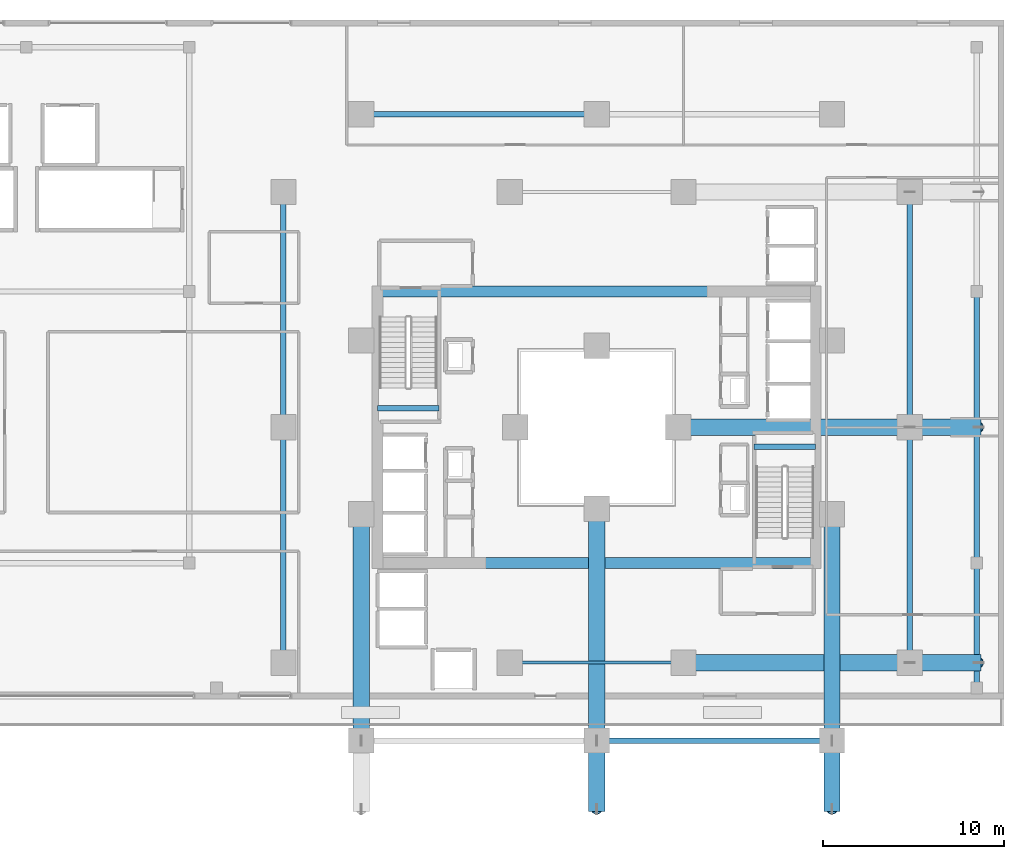
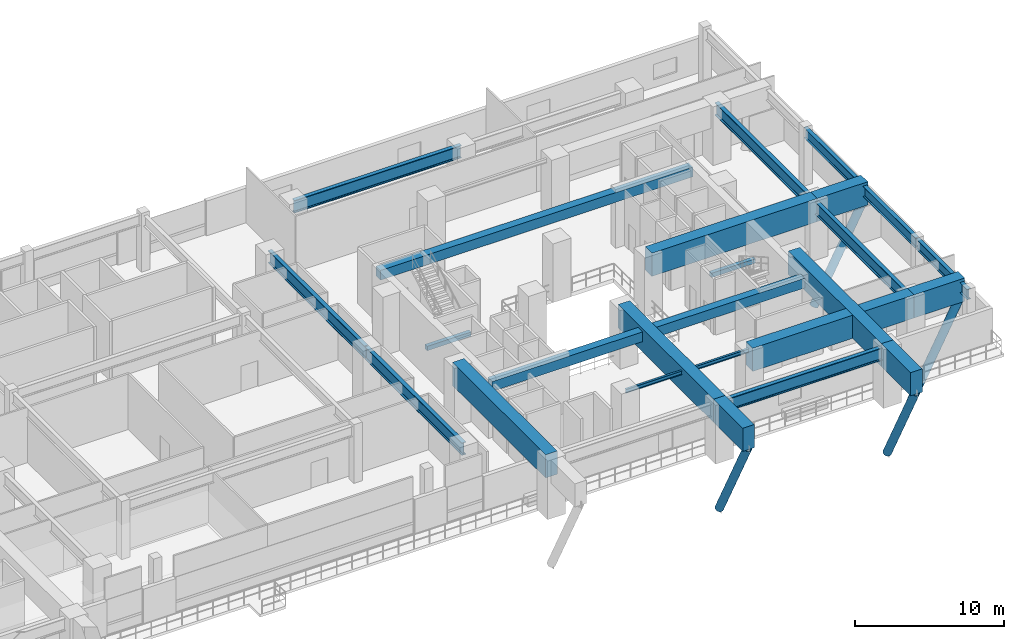
# One storey, part 9 of 25: 22 beams, 4 members.
"""IFC4 building model written with IfcOpenShell, lengths in metres."""

from ifc_helpers import new_model, si_unit, direction, frame, origin, origin_2d, place, context, subcontext, project, spatial, rectangle, hollow_circle, i_section, extrude, material, material_profile, profile_set, type_object, element, save


model = new_model("IFC4")

# Units and contexts
model_context = context("Model", 3, precision=1e-05, world=origin(), true_north=direction((0.0, 1.0)))
body_context = subcontext(model_context, "Body", "Model", "MODEL_VIEW")
ifc_project = project(units=[si_unit("LENGTHUNIT", "METRE"), si_unit("AREAUNIT", "SQUARE_METRE"), si_unit("VOLUMEUNIT", "CUBIC_METRE"), si_unit("PLANEANGLEUNIT", "RADIAN"), si_unit("MASSUNIT", "GRAM", prefix="KILO")], contexts=[model_context])

# Site, building, storey
site_placement = place(None, origin())
site = spatial("IfcSite", under=ifc_project, at=site_placement, CompositionType="ELEMENT")
building_placement = place(site_placement, origin())
building = spatial("IfcBuilding", under=site, at=building_placement, Name="Thornwick Lancets Civic Towers", CompositionType="ELEMENT")
storey_placement = place(building_placement, frame((0.0, 0.0, 23.10009765625)))
storey = spatial("IfcBuildingStorey", under=building, at=storey_placement, Name="L05", CompositionType="ELEMENT", Elevation=23.10009765625)

# Beams
ifc_material_1 = material(Name="Concrete C60/75", Category="concrete")
ifc_material_profile_1 = material_profile(ifc_material_1, rectangle(XDim=0.60009765625, YDim=0.800048828125, at=origin_2d()), Name="RC 600x800")
ifc_profile_set_1 = profile_set([ifc_material_profile_1], Name="Concrete C60/75")
beam_type_1 = type_object("IfcBeamType", Name="BM_COUP_RC800", PredefinedType="BEAM", material=ifc_profile_set_1)
for number, where, z_axis, x_axis, name in (
    (1, (76.39990234375, 34.5, 4.159912109375), (1.0, 0.0, 0.0), (0.0, 1.0, 0.0), "CB-L05-B1"),
    (2, (76.39990234375, 19.5, 4.159912109375), (1.0, 0.0, 0.0), (0.0, 1.0, 0.0), "CB-L05-B2"),
):
    element("IfcBeam", number, at=place(storey_placement, frame(where, z_axis=z_axis, x_axis=x_axis)), inside=storey, type_object=beam_type_1, Name=name, PredefinedType="BEAM", context=body_context, shape_type="SweptSolid", body=[
        extrude(rectangle(XDim=0.60009765625, YDim=0.800048828125, at=origin_2d()), origin(), (0.0, 0.0, 1.0), 24.2001953125),
    ])
ifc_material_2 = material(Name="Steel S355JR", Category="steel")
ifc_material_profile_2 = material_profile(ifc_material_2, i_section(OverallWidth=0.1669921875, OverallDepth=0.310302734375, WebThickness=0.0078125, FlangeThickness=0.013671875, FilletRadius=0.0087890625, at=origin_2d()), Name="UKB 305x165x54")
ifc_profile_set_2 = profile_set([ifc_material_profile_2], Name="Steel S355JR")
beam_type_2 = type_object("IfcBeamType", Name="BM_LINTEL_305_54", PredefinedType="LINTEL", material=ifc_profile_set_2)
beam_1_placement = place(storey_placement, frame((93.219970703125, 14.0, 4.40478515625), z_axis=(-1.0, 0.0, 0.0), x_axis=(0.0, -1.0, 0.0)))
element("IfcBeam", 3, at=beam_1_placement, inside=storey, type_object=beam_type_2, Name="BM-INSP-L05-B-0-2", PredefinedType="LINTEL", context=body_context, shape_type="SweptSolid", body=[
    extrude(i_section(OverallWidth=0.1669921875, OverallDepth=0.310302734375, WebThickness=0.0078125, FlangeThickness=0.013671875, FilletRadius=0.0087890625, at=origin_2d()), origin(), (0.0, 0.0, 1.0), 9.52001953125),
])
ifc_material_profile_3 = material_profile(ifc_material_2, i_section(OverallWidth=0.293701171875, OverallDepth=0.850830078125, WebThickness=0.01611328125, FlangeThickness=0.02685546875, FilletRadius=0.017822265625, at=origin_2d()), Name="UKB 838x292x226")
ifc_profile_set_3 = profile_set([ifc_material_profile_3], Name="Steel S355JR")
beam_type_3 = type_object("IfcBeamType", Name="BM_POD_838_226", PredefinedType="BEAM", material=ifc_profile_set_3)
beam_2_placement = place(storey_placement, frame((109.5, 12.60009765625, 4.134521484375), z_axis=(0.0, 1.0, 0.0), x_axis=(-1.0, 0.0, 0.0)))
element("IfcBeam", 4, at=beam_2_placement, inside=storey, type_object=beam_type_3, Name="BM-PODG-L05-3-14", PredefinedType="BEAM", context=body_context, shape_type="SweptSolid", body=[
    extrude(i_section(OverallWidth=0.293701171875, OverallDepth=0.850830078125, WebThickness=0.01611328125, FlangeThickness=0.02685546875, FilletRadius=0.017822265625, at=origin_2d()), origin(), (0.0, 0.0, 1.0), 6.89990234375),
])
beam_3_placement = place(storey_placement, frame((109.5, 19.580078125, 4.134521484375), z_axis=(0.0, 1.0, 0.0), x_axis=(-1.0, 0.0, 0.0)))
element("IfcBeam", 5, at=beam_3_placement, inside=storey, type_object=beam_type_3, Name="BM-PODG-L05-14-15", PredefinedType="BEAM", context=body_context, shape_type="SweptSolid", body=[
    extrude(i_section(OverallWidth=0.293701171875, OverallDepth=0.850830078125, WebThickness=0.01611328125, FlangeThickness=0.02685546875, FilletRadius=0.017822265625, at=origin_2d()), origin(), (0.0, 0.0, 1.0), 14.919921875),
])
ifc_material_3 = material(Name="Concrete C40/50", Category="concrete")
ifc_material_profile_4 = material_profile(ifc_material_3, rectangle(XDim=0.300048828125, YDim=0.35009765625, at=origin_2d()), Name="RC 300x350")
ifc_profile_set_4 = profile_set([ifc_material_profile_4], Name="Concrete C40/50")
beam_type_4 = type_object("IfcBeamType", Name="BM_STAIR_LDG", PredefinedType="BEAM", material=ifc_profile_set_4)
for number, where, z_axis, x_axis, name in (
    (6, (100.60009765625, 25.93505859375, 1.977783203125), (-1.0, 0.0, 0.0), (0.0, -1.0, 0.0), "L05 ST-B1 Landing Support Beam 1"),
    (7, (76.39990234375, 28.06494140625, 1.977783203125), (1.0, 0.0, 0.0), (0.0, 1.0, 0.0), "L05 ST-B2 Landing Support Beam 1"),
):
    element("IfcBeam", number, at=place(storey_placement, frame(where, z_axis=z_axis, x_axis=x_axis)), inside=storey, type_object=beam_type_4, Name=name, PredefinedType="BEAM", context=body_context, shape_type="SweptSolid", body=[
        extrude(rectangle(XDim=0.300048828125, YDim=0.35009765625, at=origin_2d()), origin(), (0.0, 0.0, 1.0), 3.400146484375),
    ])
ifc_material_4 = material(Name="Steel S460M", Category="steel")
ifc_material_profile_5 = material_profile(ifc_material_4, i_section(OverallWidth=0.305419921875, OverallDepth=1.02587890625, WebThickness=0.02685546875, FlangeThickness=0.0458984375, FilletRadius=0.030029296875, at=origin_2d()), Name="UKB 1016x305x437")
ifc_profile_set_5 = profile_set([ifc_material_profile_5], Name="Steel S460M")
beam_type_5 = type_object("IfcBeamType", Name="BM_TR_1016_437", PredefinedType="BEAM", material=ifc_profile_set_5)
beam_4_placement = place(storey_placement, frame((105.800048828125, 14.0, 4.046875), z_axis=(0.0, 1.0, 0.0), x_axis=(-1.0, 0.0, 0.0)))
element("IfcBeam", 8, at=beam_4_placement, inside=storey, type_object=beam_type_5, Name="BM-SPINE-L05-B-0-1", PredefinedType="BEAM", context=body_context, shape_type="SweptSolid", body=[
    extrude(i_section(OverallWidth=0.305419921875, OverallDepth=1.02587890625, WebThickness=0.02685546875, FlangeThickness=0.0458984375, FilletRadius=0.030029296875, at=origin_2d()), origin(), (0.0, 0.0, 1.0), 13.0),
])
for number, where, z_axis, x_axis, name in (
    (9, (105.800048828125, 27.080078125, 4.046875), (0.0, 1.0, 0.0), (-1.0, 0.0, 0.0), "BM-SPINE-L05-B-1-2"),
    (10, (88.419921875, 44.300048828125, 4.046875), (-1.0, 0.0, 0.0), (0.0, -1.0, 0.0), "BM-SPINE-L05-B-4-5"),
):
    element("IfcBeam", number, at=place(storey_placement, frame(where, z_axis=z_axis, x_axis=x_axis)), inside=storey, type_object=beam_type_5, Name=name, PredefinedType="BEAM", context=body_context, shape_type="SweptSolid", body=[
        extrude(i_section(OverallWidth=0.305419921875, OverallDepth=1.02587890625, WebThickness=0.02685546875, FlangeThickness=0.0458984375, FilletRadius=0.030029296875, at=origin_2d()), origin(), (0.0, 0.0, 1.0), 12.919921875),
    ])
beam_5_placement = place(storey_placement, frame((71.199951171875, 14.0, 4.046875), z_axis=(0.0, 1.0, 0.0), x_axis=(-1.0, 0.0, 0.0)))
element("IfcBeam", 11, at=beam_5_placement, inside=storey, type_object=beam_type_5, Name="BM-SPINE-L05-B-6-7", PredefinedType="BEAM", context=body_context, shape_type="SweptSolid", body=[
    extrude(i_section(OverallWidth=0.305419921875, OverallDepth=1.02587890625, WebThickness=0.02685546875, FlangeThickness=0.0458984375, FilletRadius=0.030029296875, at=origin_2d()), origin(), (0.0, 0.0, 1.0), 13.0),
])
beam_6_placement = place(storey_placement, frame((71.199951171875, 27.080078125, 4.046875), z_axis=(0.0, 1.0, 0.0), x_axis=(-1.0, 0.0, 0.0)))
element("IfcBeam", 12, at=beam_6_placement, inside=storey, type_object=beam_type_5, Name="BM-SPINE-L05-B-7-8", PredefinedType="BEAM", context=body_context, shape_type="SweptSolid", body=[
    extrude(i_section(OverallWidth=0.305419921875, OverallDepth=1.02587890625, WebThickness=0.02685546875, FlangeThickness=0.0458984375, FilletRadius=0.030029296875, at=origin_2d()), origin(), (0.0, 0.0, 1.0), 12.919921875),
])
beam_7_placement = place(storey_placement, frame((101.5, 9.699951171875, 4.046875), z_axis=(-1.0, 0.0, 0.0), x_axis=(0.0, -1.0, 0.0)))
element("IfcBeam", 13, at=beam_7_placement, inside=storey, type_object=beam_type_5, Name="BM-SPINE-L05-B-9-10", PredefinedType="BEAM", context=body_context, shape_type="SweptSolid", body=[
    extrude(i_section(OverallWidth=0.305419921875, OverallDepth=1.02587890625, WebThickness=0.02685546875, FlangeThickness=0.0458984375, FilletRadius=0.030029296875, at=origin_2d()), origin(), (0.0, 0.0, 1.0), 13.0),
])
ifc_material_profile_6 = material_profile(ifc_material_1, rectangle(XDim=0.89990234375, YDim=1.89990234375, at=origin_2d()), Name="RC 900x1900")
ifc_profile_set_6 = profile_set([ifc_material_profile_6], Name="Concrete C60/75")
beam_type_6 = type_object("IfcBeamType", Name="BM_TR_RC1900", PredefinedType="BEAM", material=ifc_profile_set_6)
beam_8_placement = place(storey_placement, frame((93.300048828125, 14.0, 3.849853515625), z_axis=(1.0, 0.0, 0.0), x_axis=(0.0, 1.0, 0.0)))
element("IfcBeam", 14, at=beam_8_placement, inside=storey, type_object=beam_type_6, Name="TG-BACK-L06-B01", PredefinedType="BEAM", context=body_context, shape_type="SweptSolid", body=[
    extrude(rectangle(XDim=0.89990234375, YDim=1.89990234375, at=origin_2d()), origin(), (0.0, 0.0, 1.0), 12.5),
])
beam_9_placement = place(storey_placement, frame((105.800048828125, 14.0, 3.849853515625), z_axis=(1.0, 0.0, 0.0), x_axis=(0.0, 1.0, 0.0)))
element("IfcBeam", 15, at=beam_9_placement, inside=storey, type_object=beam_type_6, Name="TG-CANT-L06-B01", PredefinedType="BEAM", context=body_context, shape_type="SweptSolid", body=[
    extrude(rectangle(XDim=0.89990234375, YDim=1.89990234375, at=origin_2d()), origin(), (0.0, 0.0, 1.0), 3.919921875),
])
beam_10_placement = place(storey_placement, frame((93.0, 27.0, 3.849853515625), z_axis=(1.0, 0.0, 0.0), x_axis=(0.0, 1.0, 0.0)))
element("IfcBeam", 16, at=beam_10_placement, inside=storey, type_object=beam_type_6, Name="TG-BACK-L06-B02", PredefinedType="BEAM", context=body_context, shape_type="SweptSolid", body=[
    extrude(rectangle(XDim=0.89990234375, YDim=1.89990234375, at=origin_2d()), origin(), (0.0, 0.0, 1.0), 12.800048828125),
])
beam_11_placement = place(storey_placement, frame((105.800048828125, 27.0, 3.849853515625), z_axis=(1.0, 0.0, 0.0), x_axis=(0.0, 1.0, 0.0)))
element("IfcBeam", 17, at=beam_11_placement, inside=storey, type_object=beam_type_6, Name="TG-CANT-L06-B02", PredefinedType="BEAM", context=body_context, shape_type="SweptSolid", body=[
    extrude(rectangle(XDim=0.89990234375, YDim=1.89990234375, at=origin_2d()), origin(), (0.0, 0.0, 1.0), 3.919921875),
])
beam_12_placement = place(storey_placement, frame((101.5, 22.199951171875, 3.849853515625), z_axis=(0.0, -1.0, 0.0), x_axis=(1.0, 0.0, 0.0)))
element("IfcBeam", 18, at=beam_12_placement, inside=storey, type_object=beam_type_6, Name="TG-BACK-L06-B10", PredefinedType="BEAM", context=body_context, shape_type="SweptSolid", body=[
    extrude(rectangle(XDim=0.89990234375, YDim=1.89990234375, at=origin_2d()), origin(), (0.0, 0.0, 1.0), 12.5),
])
beam_13_placement = place(storey_placement, frame((101.5, 9.699951171875, 3.849853515625), z_axis=(0.0, -1.0, 0.0), x_axis=(1.0, 0.0, 0.0)))
element("IfcBeam", 19, at=beam_13_placement, inside=storey, type_object=beam_type_6, Name="TG-CANT-L06-B10", PredefinedType="BEAM", context=body_context, shape_type="SweptSolid", body=[
    extrude(rectangle(XDim=0.89990234375, YDim=1.89990234375, at=origin_2d()), origin(), (0.0, 0.0, 1.0), 3.919921875),
])
beam_14_placement = place(storey_placement, frame((88.5, 22.5, 3.849853515625), z_axis=(0.0, -1.0, 0.0), x_axis=(1.0, 0.0, 0.0)))
element("IfcBeam", 20, at=beam_14_placement, inside=storey, type_object=beam_type_6, Name="TG-BACK-L06-B11", PredefinedType="BEAM", context=body_context, shape_type="SweptSolid", body=[
    extrude(rectangle(XDim=0.89990234375, YDim=1.89990234375, at=origin_2d()), origin(), (0.0, 0.0, 1.0), 12.800048828125),
])
beam_15_placement = place(storey_placement, frame((88.5, 9.699951171875, 3.849853515625), z_axis=(0.0, -1.0, 0.0), x_axis=(1.0, 0.0, 0.0)))
element("IfcBeam", 21, at=beam_15_placement, inside=storey, type_object=beam_type_6, Name="TG-CANT-L06-B11", PredefinedType="BEAM", context=body_context, shape_type="SweptSolid", body=[
    extrude(rectangle(XDim=0.89990234375, YDim=1.89990234375, at=origin_2d()), origin(), (0.0, 0.0, 1.0), 3.919921875),
])
beam_16_placement = place(storey_placement, frame((75.5, 22.199951171875, 3.849853515625), z_axis=(0.0, -1.0, 0.0), x_axis=(1.0, 0.0, 0.0)))
element("IfcBeam", 22, at=beam_16_placement, inside=storey, type_object=beam_type_6, Name="TG-BACK-L06-B12", PredefinedType="BEAM", context=body_context, shape_type="SweptSolid", body=[
    extrude(rectangle(XDim=0.89990234375, YDim=1.89990234375, at=origin_2d()), origin(), (0.0, 0.0, 1.0), 12.5),
])

# Members
ifc_material_profile_7 = material_profile(ifc_material_4, hollow_circle(Radius=0.304931640625, WallThickness=0.030029296875, at=origin_2d()), Name="CHS 610x30")
ifc_profile_set_7 = profile_set([ifc_material_profile_7], Name="Steel S460M")
member_type = type_object("IfcMemberType", Name="MEM_STRUT_CHS610", PredefinedType="STRUT", material=ifc_profile_set_7)
for number, where, z_axis, x_axis, name in (
    (23, (105.800048828125, 14.0, -4.25), (0.465247425434, 0.0, 0.885180678239), (0.0, 1.0, 0.0), "L06 Jenga Transfer Raking Strut B01"),
    (24, (105.800048828125, 27.0, -4.25), (0.465247425434, 0.0, 0.885180678239), (0.0, 1.0, 0.0), "L06 Jenga Transfer Raking Strut B02"),
    (25, (101.5, 9.699951171875, -4.25), (0.0, -0.465247425434, 0.885180678239), (1.0, 0.0, 0.0), "L06 Jenga Transfer Raking Strut B10"),
    (26, (88.5, 9.699951171875, -4.25), (0.0, -0.465247425434, 0.885180678239), (1.0, 0.0, 0.0), "L06 Jenga Transfer Raking Strut B11"),
):
    element("IfcMember", number, at=place(storey_placement, frame(where, z_axis=z_axis, x_axis=x_axis)), inside=storey, type_object=member_type, Name=name, PredefinedType="STRUT", context=body_context, shape_type="SweptSolid", body=[
        extrude(hollow_circle(Radius=0.304931640625, WallThickness=0.030029296875, at=origin_2d()), origin(), (0.0, 0.0, 1.0), 8.167724609375),
    ])

save(model, "model.ifc")
